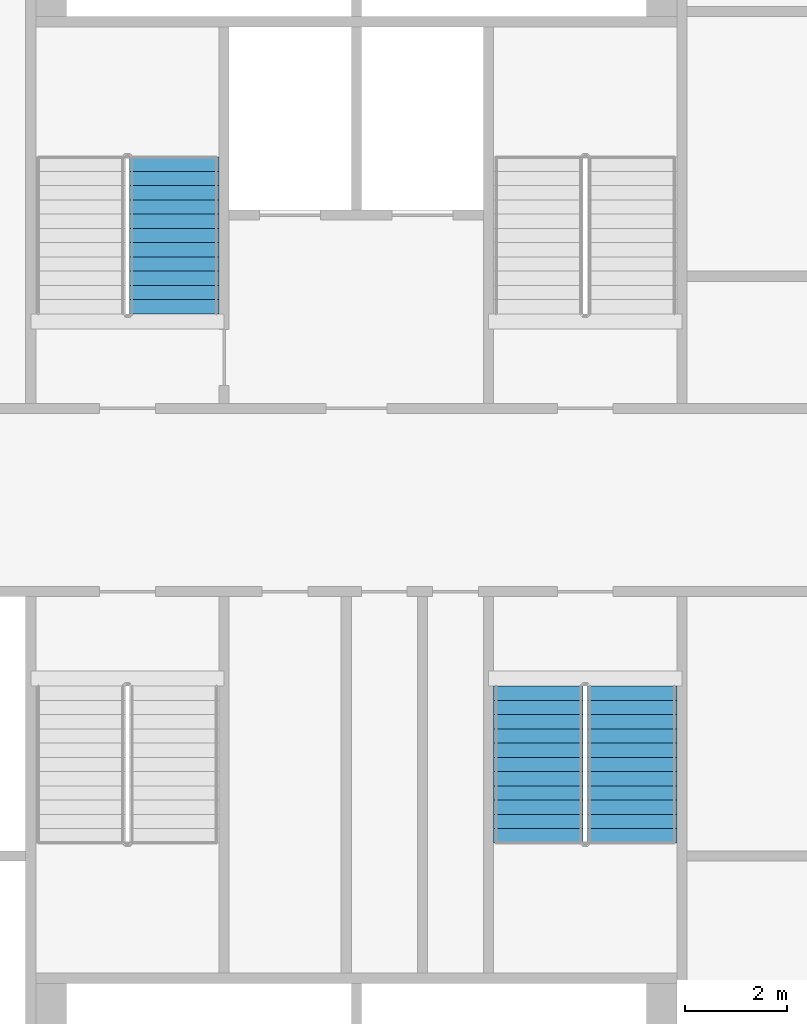
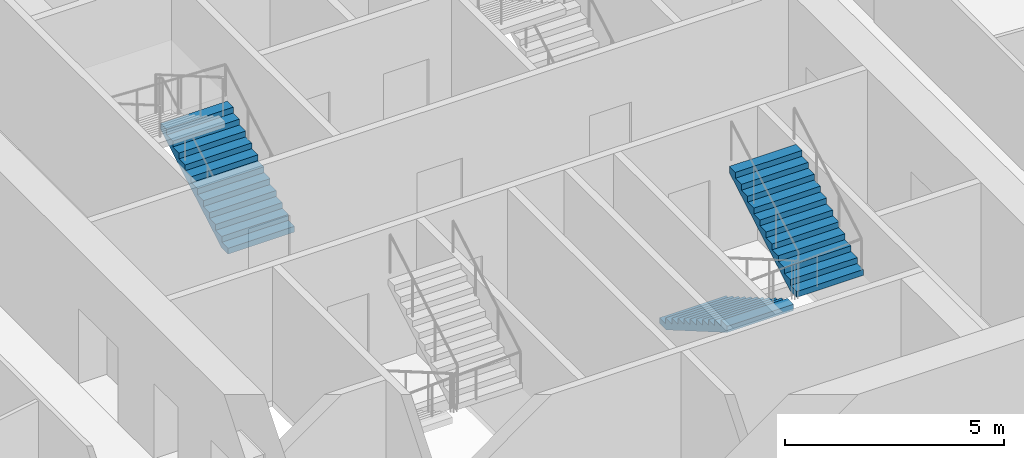
# One storey, part 14 of 21: 3 stair flights, 2 elements without a shape of their own.
"""IFC4 building model written with IfcOpenShell, lengths in metres."""

from ifc_helpers import new_model, si_unit, direction, frame, origin, place, context, subcontext, project, spatial, faceted_brep, material, type_object, element, aggregate, save


model = new_model("IFC4")

# Units and contexts
model_context = context("Model", 3, precision=1e-05, world=origin(), true_north=direction((0.0, 1.0)))
body_context = subcontext(model_context, "Body", "Model", "MODEL_VIEW")
ifc_project = project(units=[si_unit("LENGTHUNIT", "METRE"), si_unit("AREAUNIT", "SQUARE_METRE"), si_unit("VOLUMEUNIT", "CUBIC_METRE"), si_unit("PLANEANGLEUNIT", "RADIAN"), si_unit("MASSUNIT", "GRAM", prefix="KILO")], contexts=[model_context])

# Site, building, storey
site_placement = place(None, origin())
site = spatial("IfcSite", under=ifc_project, at=site_placement, CompositionType="ELEMENT")
building_placement = place(site_placement, origin())
building = spatial("IfcBuilding", under=site, at=building_placement, Name="Tarsis Ring Headquarters", CompositionType="ELEMENT")
storey_placement = place(building_placement, frame((0.0, 0.0, 100.60009765625)))
storey = spatial("IfcBuildingStorey", under=building, at=storey_placement, Name="L22", CompositionType="ELEMENT", Elevation=100.60009765625)

# Stair, stair flight
ifc_material_1 = material(Name="Core stair 1760")
stair_type = type_object("IfcStairType", Name="Core stair 1760", PredefinedType="HALF_TURN_STAIR", material=ifc_material_1)
stair_1_placement = place(storey_placement, origin())
stair_1 = element("IfcStair", 1, at=stair_1_placement, inside=storey, type_object=stair_type, Name="L22 Firefighting stair", PredefinedType="HALF_TURN_STAIR")
ifc_material_2 = material(Name="Concrete C40/50", Category="concrete")
stair_flight_type = type_object("IfcStairFlightType", Name="Core stair flight 1760", PredefinedType="STRAIGHT", material=ifc_material_2)
stair_flight_1_placement = place(storey_placement, frame((-3.580078125, 3.659912109375, 0.0), z_axis=(0.0, 0.0, 1.0), x_axis=(0.0, 1.0, 0.0)))
stair_flight_1 = element("IfcStairFlight", 2, at=stair_flight_1_placement, type_object=stair_flight_type, Name="Stair ST1 flight 1", NumberOfRisers=12, NumberOfTreads=11, PredefinedType="STRAIGHT", RiserHeight=0.1625, TreadLength=0.28, context=body_context, shape_type="Brep", body=[
    faceted_brep([(0.0, 0.8798828125, 0.0), (0.0, 0.8798828125, 0.16259765625), (0.280029296875, 0.8798828125, 0.16259765625), (0.280029296875, 0.8798828125, 0.324951171875), (0.56005859375, 0.8798828125, 0.324951171875), (0.56005859375, 0.8798828125, 0.487548828125), (0.840087890625, 0.8798828125, 0.487548828125), (0.840087890625, 0.8798828125, 0.64990234375), (1.1201171875, 0.8798828125, 0.64990234375), (1.1201171875, 0.8798828125, 0.8125), (1.39990234375, 0.8798828125, 0.8125), (1.39990234375, 0.8798828125, 0.97509765625), (1.679931640625, 0.8798828125, 0.97509765625), (1.679931640625, 0.8798828125, 1.137451171875), (1.9599609375, 0.8798828125, 1.137451171875), (1.9599609375, 0.8798828125, 1.300048828125), (2.239990234375, 0.8798828125, 1.300048828125), (2.239990234375, 0.8798828125, 1.46240234375), (2.52001953125, 0.8798828125, 1.46240234375), (2.52001953125, 0.8798828125, 1.625), (2.800048828125, 0.8798828125, 1.625), (2.800048828125, 0.8798828125, 1.78759765625), (3.080078125, 0.8798828125, 1.78759765625), (3.080078125, 0.8798828125, 1.6142578125), (0.298583984375, 0.8798828125, 0.0), (0.298583984375, -0.8798828125, 0.0), (3.080078125, -0.8798828125, 1.6142578125), (3.080078125, -0.8798828125, 1.78759765625), (2.800048828125, -0.8798828125, 1.78759765625), (2.800048828125, -0.8798828125, 1.625), (2.52001953125, -0.8798828125, 1.625), (2.52001953125, -0.8798828125, 1.46240234375), (2.239990234375, -0.8798828125, 1.46240234375), (2.239990234375, -0.8798828125, 1.300048828125), (1.9599609375, -0.8798828125, 1.300048828125), (1.9599609375, -0.8798828125, 1.137451171875), (1.679931640625, -0.8798828125, 1.137451171875), (1.679931640625, -0.8798828125, 0.97509765625), (1.39990234375, -0.8798828125, 0.97509765625), (1.39990234375, -0.8798828125, 0.8125), (1.1201171875, -0.8798828125, 0.8125), (1.1201171875, -0.8798828125, 0.64990234375), (0.840087890625, -0.8798828125, 0.64990234375), (0.840087890625, -0.8798828125, 0.487548828125), (0.56005859375, -0.8798828125, 0.487548828125), (0.56005859375, -0.8798828125, 0.324951171875), (0.280029296875, -0.8798828125, 0.324951171875), (0.280029296875, -0.8798828125, 0.16259765625), (0.0, -0.8798828125, 0.16259765625), (0.0, -0.8798828125, 0.0), (0.0, -0.43994140625, 0.16259765625), (0.0, -0.43994140625, 0.0), (0.0, 0.0, 0.16259765625), (0.0, 0.0, 0.0), (0.0, 0.43994140625, 0.16259765625), (0.0, 0.43994140625, 0.0), (0.280029296875, -0.43994140625, 0.16259765625), (0.280029296875, 0.0, 0.16259765625), (0.280029296875, 0.43994140625, 0.16259765625), (0.280029296875, -0.43994140625, 0.324951171875), (0.280029296875, 0.0, 0.324951171875), (0.280029296875, 0.43994140625, 0.324951171875), (0.56005859375, -0.43994140625, 0.324951171875), (0.56005859375, 0.0, 0.324951171875), (0.56005859375, 0.43994140625, 0.324951171875), (0.56005859375, -0.43994140625, 0.487548828125), (0.56005859375, 0.0, 0.487548828125), (0.56005859375, 0.43994140625, 0.487548828125), (0.840087890625, -0.43994140625, 0.487548828125), (0.840087890625, 0.0, 0.487548828125), (0.840087890625, 0.43994140625, 0.487548828125), (0.840087890625, -0.43994140625, 0.64990234375), (0.840087890625, 0.0, 0.64990234375), (0.840087890625, 0.43994140625, 0.64990234375), (1.1201171875, -0.43994140625, 0.64990234375), (1.1201171875, 0.0, 0.64990234375), (1.1201171875, 0.43994140625, 0.64990234375), (1.1201171875, -0.43994140625, 0.8125), (1.1201171875, 0.0, 0.8125), (1.1201171875, 0.43994140625, 0.8125), (1.39990234375, -0.43994140625, 0.8125), (1.39990234375, 0.0, 0.8125), (1.39990234375, 0.43994140625, 0.8125), (1.39990234375, -0.43994140625, 0.97509765625), (1.39990234375, 0.0, 0.97509765625), (1.39990234375, 0.43994140625, 0.97509765625), (1.679931640625, -0.43994140625, 0.97509765625), (1.679931640625, 0.0, 0.97509765625), (1.679931640625, 0.43994140625, 0.97509765625), (1.679931640625, -0.43994140625, 1.137451171875), (1.679931640625, 0.0, 1.137451171875), (1.679931640625, 0.43994140625, 1.137451171875), (1.9599609375, -0.43994140625, 1.137451171875), (1.9599609375, 0.0, 1.137451171875), (1.9599609375, 0.43994140625, 1.137451171875), (1.9599609375, -0.43994140625, 1.300048828125), (1.9599609375, 0.0, 1.300048828125), (1.9599609375, 0.43994140625, 1.300048828125), (2.239990234375, -0.43994140625, 1.300048828125), (2.239990234375, 0.0, 1.300048828125), (2.239990234375, 0.43994140625, 1.300048828125), (2.239990234375, -0.43994140625, 1.46240234375), (2.239990234375, 0.0, 1.46240234375), (2.239990234375, 0.43994140625, 1.46240234375), (2.52001953125, -0.43994140625, 1.46240234375), (2.52001953125, 0.0, 1.46240234375), (2.52001953125, 0.43994140625, 1.46240234375), (2.52001953125, -0.43994140625, 1.625), (2.52001953125, 0.0, 1.625), (2.52001953125, 0.43994140625, 1.625), (2.800048828125, -0.43994140625, 1.625), (2.800048828125, 0.0, 1.625), (2.800048828125, 0.43994140625, 1.625), (2.800048828125, -0.43994140625, 1.78759765625), (2.800048828125, 0.0, 1.78759765625), (2.800048828125, 0.43994140625, 1.78759765625), (3.080078125, -0.43994140625, 1.78759765625), (3.080078125, 0.0, 1.78759765625), (3.080078125, 0.43994140625, 1.78759765625), (3.080078125, -0.43994140625, 1.6142578125), (3.080078125, 0.0, 1.6142578125), (3.080078125, 0.43994140625, 1.6142578125), (0.298583984375, -0.43994140625, 0.0), (0.298583984375, 0.0, 0.0), (0.298583984375, 0.43994140625, 0.0)], [[[0, 1, 2, 3, 4, 5, 6, 7, 8, 9, 10, 11, 12, 13, 14, 15, 16, 17, 18, 19, 20, 21, 22, 23, 24]], [[25, 26, 27, 28, 29, 30, 31, 32, 33, 34, 35, 36, 37, 38, 39, 40, 41, 42, 43, 44, 45, 46, 47, 48, 49]], [[49, 48, 50, 51]], [[51, 50, 52, 53]], [[53, 52, 54, 55]], [[55, 54, 1, 0]], [[48, 47, 56, 50]], [[50, 56, 57, 52]], [[52, 57, 58, 54]], [[54, 58, 2, 1]], [[47, 46, 59, 56]], [[56, 59, 60, 57]], [[57, 60, 61, 58]], [[58, 61, 3, 2]], [[46, 45, 62, 59]], [[59, 62, 63, 60]], [[60, 63, 64, 61]], [[61, 64, 4, 3]], [[45, 44, 65, 62]], [[62, 65, 66, 63]], [[63, 66, 67, 64]], [[64, 67, 5, 4]], [[44, 43, 68, 65]], [[65, 68, 69, 66]], [[66, 69, 70, 67]], [[67, 70, 6, 5]], [[43, 42, 71, 68]], [[68, 71, 72, 69]], [[69, 72, 73, 70]], [[70, 73, 7, 6]], [[42, 41, 74, 71]], [[71, 74, 75, 72]], [[72, 75, 76, 73]], [[73, 76, 8, 7]], [[41, 40, 77, 74]], [[74, 77, 78, 75]], [[75, 78, 79, 76]], [[76, 79, 9, 8]], [[40, 39, 80, 77]], [[77, 80, 81, 78]], [[78, 81, 82, 79]], [[79, 82, 10, 9]], [[39, 38, 83, 80]], [[80, 83, 84, 81]], [[81, 84, 85, 82]], [[82, 85, 11, 10]], [[38, 37, 86, 83]], [[83, 86, 87, 84]], [[84, 87, 88, 85]], [[85, 88, 12, 11]], [[37, 36, 89, 86]], [[86, 89, 90, 87]], [[87, 90, 91, 88]], [[88, 91, 13, 12]], [[36, 35, 92, 89]], [[89, 92, 93, 90]], [[90, 93, 94, 91]], [[91, 94, 14, 13]], [[35, 34, 95, 92]], [[92, 95, 96, 93]], [[93, 96, 97, 94]], [[94, 97, 15, 14]], [[34, 33, 98, 95]], [[95, 98, 99, 96]], [[96, 99, 100, 97]], [[97, 100, 16, 15]], [[33, 32, 101, 98]], [[98, 101, 102, 99]], [[99, 102, 103, 100]], [[100, 103, 17, 16]], [[32, 31, 104, 101]], [[101, 104, 105, 102]], [[102, 105, 106, 103]], [[103, 106, 18, 17]], [[31, 30, 107, 104]], [[104, 107, 108, 105]], [[105, 108, 109, 106]], [[106, 109, 19, 18]], [[30, 29, 110, 107]], [[107, 110, 111, 108]], [[108, 111, 112, 109]], [[109, 112, 20, 19]], [[29, 28, 113, 110]], [[110, 113, 114, 111]], [[111, 114, 115, 112]], [[112, 115, 21, 20]], [[28, 27, 116, 113]], [[113, 116, 117, 114]], [[114, 117, 118, 115]], [[115, 118, 22, 21]], [[27, 26, 119, 116]], [[116, 119, 120, 117]], [[117, 120, 121, 118]], [[118, 121, 23, 22]], [[26, 25, 122, 119]], [[119, 122, 123, 120]], [[120, 123, 124, 121]], [[121, 124, 24, 23]], [[25, 49, 51, 122]], [[122, 51, 53, 123]], [[123, 53, 55, 124]], [[124, 55, 0, 24]]]),
])
aggregate(stair_1, [stair_flight_1])

# Stair, stair flights
stair_2_placement = place(storey_placement, origin())
stair_2 = element("IfcStair", 3, at=stair_2_placement, inside=storey, type_object=stair_type, Name="L22 Exit stair D", PredefinedType="HALF_TURN_STAIR")
stair_flight_2_placement = place(storey_placement, frame((3.580078125, -3.659912109375, 0.0), z_axis=(0.0, 0.0, 1.0), x_axis=(0.0, -1.0, 0.0)))
stair_flight_2 = element("IfcStairFlight", 4, at=stair_flight_2_placement, type_object=stair_flight_type, Name="Stair ST4 flight 1", NumberOfRisers=12, NumberOfTreads=11, PredefinedType="STRAIGHT", RiserHeight=0.1625, TreadLength=0.28, context=body_context, shape_type="Brep", body=[
    faceted_brep([(0.0, 0.8798828125, 0.0), (0.0, 0.8798828125, 0.16259765625), (0.280029296875, 0.8798828125, 0.16259765625), (0.280029296875, 0.8798828125, 0.324951171875), (0.56005859375, 0.8798828125, 0.324951171875), (0.56005859375, 0.8798828125, 0.487548828125), (0.840087890625, 0.8798828125, 0.487548828125), (0.840087890625, 0.8798828125, 0.64990234375), (1.1201171875, 0.8798828125, 0.64990234375), (1.1201171875, 0.8798828125, 0.8125), (1.39990234375, 0.8798828125, 0.8125), (1.39990234375, 0.8798828125, 0.97509765625), (1.679931640625, 0.8798828125, 0.97509765625), (1.679931640625, 0.8798828125, 1.137451171875), (1.9599609375, 0.8798828125, 1.137451171875), (1.9599609375, 0.8798828125, 1.300048828125), (2.239990234375, 0.8798828125, 1.300048828125), (2.239990234375, 0.8798828125, 1.46240234375), (2.52001953125, 0.8798828125, 1.46240234375), (2.52001953125, 0.8798828125, 1.625), (2.800048828125, 0.8798828125, 1.625), (2.800048828125, 0.8798828125, 1.78759765625), (3.080078125, 0.8798828125, 1.78759765625), (3.080078125, 0.8798828125, 1.6142578125), (0.298583984375, 0.8798828125, 0.0), (0.298583984375, -0.8798828125, 0.0), (3.080078125, -0.8798828125, 1.6142578125), (3.080078125, -0.8798828125, 1.78759765625), (2.800048828125, -0.8798828125, 1.78759765625), (2.800048828125, -0.8798828125, 1.625), (2.52001953125, -0.8798828125, 1.625), (2.52001953125, -0.8798828125, 1.46240234375), (2.239990234375, -0.8798828125, 1.46240234375), (2.239990234375, -0.8798828125, 1.300048828125), (1.9599609375, -0.8798828125, 1.300048828125), (1.9599609375, -0.8798828125, 1.137451171875), (1.679931640625, -0.8798828125, 1.137451171875), (1.679931640625, -0.8798828125, 0.97509765625), (1.39990234375, -0.8798828125, 0.97509765625), (1.39990234375, -0.8798828125, 0.8125), (1.1201171875, -0.8798828125, 0.8125), (1.1201171875, -0.8798828125, 0.64990234375), (0.840087890625, -0.8798828125, 0.64990234375), (0.840087890625, -0.8798828125, 0.487548828125), (0.56005859375, -0.8798828125, 0.487548828125), (0.56005859375, -0.8798828125, 0.324951171875), (0.280029296875, -0.8798828125, 0.324951171875), (0.280029296875, -0.8798828125, 0.16259765625), (0.0, -0.8798828125, 0.16259765625), (0.0, -0.8798828125, 0.0), (0.0, -0.43994140625, 0.16259765625), (0.0, -0.43994140625, 0.0), (0.0, 0.0, 0.16259765625), (0.0, 0.0, 0.0), (0.0, 0.43994140625, 0.16259765625), (0.0, 0.43994140625, 0.0), (0.280029296875, -0.43994140625, 0.16259765625), (0.280029296875, 0.0, 0.16259765625), (0.280029296875, 0.43994140625, 0.16259765625), (0.280029296875, -0.43994140625, 0.324951171875), (0.280029296875, 0.0, 0.324951171875), (0.280029296875, 0.43994140625, 0.324951171875), (0.56005859375, -0.43994140625, 0.324951171875), (0.56005859375, 0.0, 0.324951171875), (0.56005859375, 0.43994140625, 0.324951171875), (0.56005859375, -0.43994140625, 0.487548828125), (0.56005859375, 0.0, 0.487548828125), (0.56005859375, 0.43994140625, 0.487548828125), (0.840087890625, -0.43994140625, 0.487548828125), (0.840087890625, 0.0, 0.487548828125), (0.840087890625, 0.43994140625, 0.487548828125), (0.840087890625, -0.43994140625, 0.64990234375), (0.840087890625, 0.0, 0.64990234375), (0.840087890625, 0.43994140625, 0.64990234375), (1.1201171875, -0.43994140625, 0.64990234375), (1.1201171875, 0.0, 0.64990234375), (1.1201171875, 0.43994140625, 0.64990234375), (1.1201171875, -0.43994140625, 0.8125), (1.1201171875, 0.0, 0.8125), (1.1201171875, 0.43994140625, 0.8125), (1.39990234375, -0.43994140625, 0.8125), (1.39990234375, 0.0, 0.8125), (1.39990234375, 0.43994140625, 0.8125), (1.39990234375, -0.43994140625, 0.97509765625), (1.39990234375, 0.0, 0.97509765625), (1.39990234375, 0.43994140625, 0.97509765625), (1.679931640625, -0.43994140625, 0.97509765625), (1.679931640625, 0.0, 0.97509765625), (1.679931640625, 0.43994140625, 0.97509765625), (1.679931640625, -0.43994140625, 1.137451171875), (1.679931640625, 0.0, 1.137451171875), (1.679931640625, 0.43994140625, 1.137451171875), (1.9599609375, -0.43994140625, 1.137451171875), (1.9599609375, 0.0, 1.137451171875), (1.9599609375, 0.43994140625, 1.137451171875), (1.9599609375, -0.43994140625, 1.300048828125), (1.9599609375, 0.0, 1.300048828125), (1.9599609375, 0.43994140625, 1.300048828125), (2.239990234375, -0.43994140625, 1.300048828125), (2.239990234375, 0.0, 1.300048828125), (2.239990234375, 0.43994140625, 1.300048828125), (2.239990234375, -0.43994140625, 1.46240234375), (2.239990234375, 0.0, 1.46240234375), (2.239990234375, 0.43994140625, 1.46240234375), (2.52001953125, -0.43994140625, 1.46240234375), (2.52001953125, 0.0, 1.46240234375), (2.52001953125, 0.43994140625, 1.46240234375), (2.52001953125, -0.43994140625, 1.625), (2.52001953125, 0.0, 1.625), (2.52001953125, 0.43994140625, 1.625), (2.800048828125, -0.43994140625, 1.625), (2.800048828125, 0.0, 1.625), (2.800048828125, 0.43994140625, 1.625), (2.800048828125, -0.43994140625, 1.78759765625), (2.800048828125, 0.0, 1.78759765625), (2.800048828125, 0.43994140625, 1.78759765625), (3.080078125, -0.43994140625, 1.78759765625), (3.080078125, 0.0, 1.78759765625), (3.080078125, 0.43994140625, 1.78759765625), (3.080078125, -0.43994140625, 1.6142578125), (3.080078125, 0.0, 1.6142578125), (3.080078125, 0.43994140625, 1.6142578125), (0.298583984375, -0.43994140625, 0.0), (0.298583984375, 0.0, 0.0), (0.298583984375, 0.43994140625, 0.0)], [[[0, 1, 2, 3, 4, 5, 6, 7, 8, 9, 10, 11, 12, 13, 14, 15, 16, 17, 18, 19, 20, 21, 22, 23, 24]], [[25, 26, 27, 28, 29, 30, 31, 32, 33, 34, 35, 36, 37, 38, 39, 40, 41, 42, 43, 44, 45, 46, 47, 48, 49]], [[49, 48, 50, 51]], [[51, 50, 52, 53]], [[53, 52, 54, 55]], [[55, 54, 1, 0]], [[48, 47, 56, 50]], [[50, 56, 57, 52]], [[52, 57, 58, 54]], [[54, 58, 2, 1]], [[47, 46, 59, 56]], [[56, 59, 60, 57]], [[57, 60, 61, 58]], [[58, 61, 3, 2]], [[46, 45, 62, 59]], [[59, 62, 63, 60]], [[60, 63, 64, 61]], [[61, 64, 4, 3]], [[45, 44, 65, 62]], [[62, 65, 66, 63]], [[63, 66, 67, 64]], [[64, 67, 5, 4]], [[44, 43, 68, 65]], [[65, 68, 69, 66]], [[66, 69, 70, 67]], [[67, 70, 6, 5]], [[43, 42, 71, 68]], [[68, 71, 72, 69]], [[69, 72, 73, 70]], [[70, 73, 7, 6]], [[42, 41, 74, 71]], [[71, 74, 75, 72]], [[72, 75, 76, 73]], [[73, 76, 8, 7]], [[41, 40, 77, 74]], [[74, 77, 78, 75]], [[75, 78, 79, 76]], [[76, 79, 9, 8]], [[40, 39, 80, 77]], [[77, 80, 81, 78]], [[78, 81, 82, 79]], [[79, 82, 10, 9]], [[39, 38, 83, 80]], [[80, 83, 84, 81]], [[81, 84, 85, 82]], [[82, 85, 11, 10]], [[38, 37, 86, 83]], [[83, 86, 87, 84]], [[84, 87, 88, 85]], [[85, 88, 12, 11]], [[37, 36, 89, 86]], [[86, 89, 90, 87]], [[87, 90, 91, 88]], [[88, 91, 13, 12]], [[36, 35, 92, 89]], [[89, 92, 93, 90]], [[90, 93, 94, 91]], [[91, 94, 14, 13]], [[35, 34, 95, 92]], [[92, 95, 96, 93]], [[93, 96, 97, 94]], [[94, 97, 15, 14]], [[34, 33, 98, 95]], [[95, 98, 99, 96]], [[96, 99, 100, 97]], [[97, 100, 16, 15]], [[33, 32, 101, 98]], [[98, 101, 102, 99]], [[99, 102, 103, 100]], [[100, 103, 17, 16]], [[32, 31, 104, 101]], [[101, 104, 105, 102]], [[102, 105, 106, 103]], [[103, 106, 18, 17]], [[31, 30, 107, 104]], [[104, 107, 108, 105]], [[105, 108, 109, 106]], [[106, 109, 19, 18]], [[30, 29, 110, 107]], [[107, 110, 111, 108]], [[108, 111, 112, 109]], [[109, 112, 20, 19]], [[29, 28, 113, 110]], [[110, 113, 114, 111]], [[111, 114, 115, 112]], [[112, 115, 21, 20]], [[28, 27, 116, 113]], [[113, 116, 117, 114]], [[114, 117, 118, 115]], [[115, 118, 22, 21]], [[27, 26, 119, 116]], [[116, 119, 120, 117]], [[117, 120, 121, 118]], [[118, 121, 23, 22]], [[26, 25, 122, 119]], [[119, 122, 123, 120]], [[120, 123, 124, 121]], [[121, 124, 24, 23]], [[25, 49, 51, 122]], [[122, 51, 53, 123]], [[123, 53, 55, 124]], [[124, 55, 0, 24]]]),
])
stair_flight_3_placement = place(storey_placement, frame((5.419921875, -6.739990234375, 1.949951171875), z_axis=(0.0, 0.0, 1.0), x_axis=(0.0, 1.0, 0.0)))
stair_flight_3 = element("IfcStairFlight", 5, at=stair_flight_3_placement, type_object=stair_flight_type, Name="Stair ST4 flight 2", NumberOfRisers=12, NumberOfTreads=11, PredefinedType="STRAIGHT", RiserHeight=0.1625, TreadLength=0.28, context=body_context, shape_type="Brep", body=[
    faceted_brep([(0.0, 0.8798828125, 0.0), (0.0, 0.8798828125, 0.16259765625), (0.280029296875, 0.8798828125, 0.16259765625), (0.280029296875, 0.8798828125, 0.324951171875), (0.56005859375, 0.8798828125, 0.324951171875), (0.56005859375, 0.8798828125, 0.487548828125), (0.840087890625, 0.8798828125, 0.487548828125), (0.840087890625, 0.8798828125, 0.64990234375), (1.1201171875, 0.8798828125, 0.64990234375), (1.1201171875, 0.8798828125, 0.8125), (1.39990234375, 0.8798828125, 0.8125), (1.39990234375, 0.8798828125, 0.97509765625), (1.679931640625, 0.8798828125, 0.97509765625), (1.679931640625, 0.8798828125, 1.137451171875), (1.9599609375, 0.8798828125, 1.137451171875), (1.9599609375, 0.8798828125, 1.300048828125), (2.239990234375, 0.8798828125, 1.300048828125), (2.239990234375, 0.8798828125, 1.46240234375), (2.52001953125, 0.8798828125, 1.46240234375), (2.52001953125, 0.8798828125, 1.625), (2.800048828125, 0.8798828125, 1.625), (2.800048828125, 0.8798828125, 1.78759765625), (3.080078125, 0.8798828125, 1.78759765625), (3.080078125, 0.8798828125, 1.6142578125), (0.298583984375, 0.8798828125, 0.0), (0.298583984375, -0.8798828125, 0.0), (3.080078125, -0.8798828125, 1.6142578125), (3.080078125, -0.8798828125, 1.78759765625), (2.800048828125, -0.8798828125, 1.78759765625), (2.800048828125, -0.8798828125, 1.625), (2.52001953125, -0.8798828125, 1.625), (2.52001953125, -0.8798828125, 1.46240234375), (2.239990234375, -0.8798828125, 1.46240234375), (2.239990234375, -0.8798828125, 1.300048828125), (1.9599609375, -0.8798828125, 1.300048828125), (1.9599609375, -0.8798828125, 1.137451171875), (1.679931640625, -0.8798828125, 1.137451171875), (1.679931640625, -0.8798828125, 0.97509765625), (1.39990234375, -0.8798828125, 0.97509765625), (1.39990234375, -0.8798828125, 0.8125), (1.1201171875, -0.8798828125, 0.8125), (1.1201171875, -0.8798828125, 0.64990234375), (0.840087890625, -0.8798828125, 0.64990234375), (0.840087890625, -0.8798828125, 0.487548828125), (0.56005859375, -0.8798828125, 0.487548828125), (0.56005859375, -0.8798828125, 0.324951171875), (0.280029296875, -0.8798828125, 0.324951171875), (0.280029296875, -0.8798828125, 0.16259765625), (0.0, -0.8798828125, 0.16259765625), (0.0, -0.8798828125, 0.0), (0.0, -0.43994140625, 0.16259765625), (0.0, -0.43994140625, 0.0), (0.0, 0.0, 0.16259765625), (0.0, 0.0, 0.0), (0.0, 0.43994140625, 0.16259765625), (0.0, 0.43994140625, 0.0), (0.280029296875, -0.43994140625, 0.16259765625), (0.280029296875, 0.0, 0.16259765625), (0.280029296875, 0.43994140625, 0.16259765625), (0.280029296875, -0.43994140625, 0.324951171875), (0.280029296875, 0.0, 0.324951171875), (0.280029296875, 0.43994140625, 0.324951171875), (0.56005859375, -0.43994140625, 0.324951171875), (0.56005859375, 0.0, 0.324951171875), (0.56005859375, 0.43994140625, 0.324951171875), (0.56005859375, -0.43994140625, 0.487548828125), (0.56005859375, 0.0, 0.487548828125), (0.56005859375, 0.43994140625, 0.487548828125), (0.840087890625, -0.43994140625, 0.487548828125), (0.840087890625, 0.0, 0.487548828125), (0.840087890625, 0.43994140625, 0.487548828125), (0.840087890625, -0.43994140625, 0.64990234375), (0.840087890625, 0.0, 0.64990234375), (0.840087890625, 0.43994140625, 0.64990234375), (1.1201171875, -0.43994140625, 0.64990234375), (1.1201171875, 0.0, 0.64990234375), (1.1201171875, 0.43994140625, 0.64990234375), (1.1201171875, -0.43994140625, 0.8125), (1.1201171875, 0.0, 0.8125), (1.1201171875, 0.43994140625, 0.8125), (1.39990234375, -0.43994140625, 0.8125), (1.39990234375, 0.0, 0.8125), (1.39990234375, 0.43994140625, 0.8125), (1.39990234375, -0.43994140625, 0.97509765625), (1.39990234375, 0.0, 0.97509765625), (1.39990234375, 0.43994140625, 0.97509765625), (1.679931640625, -0.43994140625, 0.97509765625), (1.679931640625, 0.0, 0.97509765625), (1.679931640625, 0.43994140625, 0.97509765625), (1.679931640625, -0.43994140625, 1.137451171875), (1.679931640625, 0.0, 1.137451171875), (1.679931640625, 0.43994140625, 1.137451171875), (1.9599609375, -0.43994140625, 1.137451171875), (1.9599609375, 0.0, 1.137451171875), (1.9599609375, 0.43994140625, 1.137451171875), (1.9599609375, -0.43994140625, 1.300048828125), (1.9599609375, 0.0, 1.300048828125), (1.9599609375, 0.43994140625, 1.300048828125), (2.239990234375, -0.43994140625, 1.300048828125), (2.239990234375, 0.0, 1.300048828125), (2.239990234375, 0.43994140625, 1.300048828125), (2.239990234375, -0.43994140625, 1.46240234375), (2.239990234375, 0.0, 1.46240234375), (2.239990234375, 0.43994140625, 1.46240234375), (2.52001953125, -0.43994140625, 1.46240234375), (2.52001953125, 0.0, 1.46240234375), (2.52001953125, 0.43994140625, 1.46240234375), (2.52001953125, -0.43994140625, 1.625), (2.52001953125, 0.0, 1.625), (2.52001953125, 0.43994140625, 1.625), (2.800048828125, -0.43994140625, 1.625), (2.800048828125, 0.0, 1.625), (2.800048828125, 0.43994140625, 1.625), (2.800048828125, -0.43994140625, 1.78759765625), (2.800048828125, 0.0, 1.78759765625), (2.800048828125, 0.43994140625, 1.78759765625), (3.080078125, -0.43994140625, 1.78759765625), (3.080078125, 0.0, 1.78759765625), (3.080078125, 0.43994140625, 1.78759765625), (3.080078125, -0.43994140625, 1.6142578125), (3.080078125, 0.0, 1.6142578125), (3.080078125, 0.43994140625, 1.6142578125), (0.298583984375, -0.43994140625, 0.0), (0.298583984375, 0.0, 0.0), (0.298583984375, 0.43994140625, 0.0)], [[[0, 1, 2, 3, 4, 5, 6, 7, 8, 9, 10, 11, 12, 13, 14, 15, 16, 17, 18, 19, 20, 21, 22, 23, 24]], [[25, 26, 27, 28, 29, 30, 31, 32, 33, 34, 35, 36, 37, 38, 39, 40, 41, 42, 43, 44, 45, 46, 47, 48, 49]], [[49, 48, 50, 51]], [[51, 50, 52, 53]], [[53, 52, 54, 55]], [[55, 54, 1, 0]], [[48, 47, 56, 50]], [[50, 56, 57, 52]], [[52, 57, 58, 54]], [[54, 58, 2, 1]], [[47, 46, 59, 56]], [[56, 59, 60, 57]], [[57, 60, 61, 58]], [[58, 61, 3, 2]], [[46, 45, 62, 59]], [[59, 62, 63, 60]], [[60, 63, 64, 61]], [[61, 64, 4, 3]], [[45, 44, 65, 62]], [[62, 65, 66, 63]], [[63, 66, 67, 64]], [[64, 67, 5, 4]], [[44, 43, 68, 65]], [[65, 68, 69, 66]], [[66, 69, 70, 67]], [[67, 70, 6, 5]], [[43, 42, 71, 68]], [[68, 71, 72, 69]], [[69, 72, 73, 70]], [[70, 73, 7, 6]], [[42, 41, 74, 71]], [[71, 74, 75, 72]], [[72, 75, 76, 73]], [[73, 76, 8, 7]], [[41, 40, 77, 74]], [[74, 77, 78, 75]], [[75, 78, 79, 76]], [[76, 79, 9, 8]], [[40, 39, 80, 77]], [[77, 80, 81, 78]], [[78, 81, 82, 79]], [[79, 82, 10, 9]], [[39, 38, 83, 80]], [[80, 83, 84, 81]], [[81, 84, 85, 82]], [[82, 85, 11, 10]], [[38, 37, 86, 83]], [[83, 86, 87, 84]], [[84, 87, 88, 85]], [[85, 88, 12, 11]], [[37, 36, 89, 86]], [[86, 89, 90, 87]], [[87, 90, 91, 88]], [[88, 91, 13, 12]], [[36, 35, 92, 89]], [[89, 92, 93, 90]], [[90, 93, 94, 91]], [[91, 94, 14, 13]], [[35, 34, 95, 92]], [[92, 95, 96, 93]], [[93, 96, 97, 94]], [[94, 97, 15, 14]], [[34, 33, 98, 95]], [[95, 98, 99, 96]], [[96, 99, 100, 97]], [[97, 100, 16, 15]], [[33, 32, 101, 98]], [[98, 101, 102, 99]], [[99, 102, 103, 100]], [[100, 103, 17, 16]], [[32, 31, 104, 101]], [[101, 104, 105, 102]], [[102, 105, 106, 103]], [[103, 106, 18, 17]], [[31, 30, 107, 104]], [[104, 107, 108, 105]], [[105, 108, 109, 106]], [[106, 109, 19, 18]], [[30, 29, 110, 107]], [[107, 110, 111, 108]], [[108, 111, 112, 109]], [[109, 112, 20, 19]], [[29, 28, 113, 110]], [[110, 113, 114, 111]], [[111, 114, 115, 112]], [[112, 115, 21, 20]], [[28, 27, 116, 113]], [[113, 116, 117, 114]], [[114, 117, 118, 115]], [[115, 118, 22, 21]], [[27, 26, 119, 116]], [[116, 119, 120, 117]], [[117, 120, 121, 118]], [[118, 121, 23, 22]], [[26, 25, 122, 119]], [[119, 122, 123, 120]], [[120, 123, 124, 121]], [[121, 124, 24, 23]], [[25, 49, 51, 122]], [[122, 51, 53, 123]], [[123, 53, 55, 124]], [[124, 55, 0, 24]]]),
])
aggregate(stair_2, [stair_flight_2, stair_flight_3])

save(model, "model.ifc")
